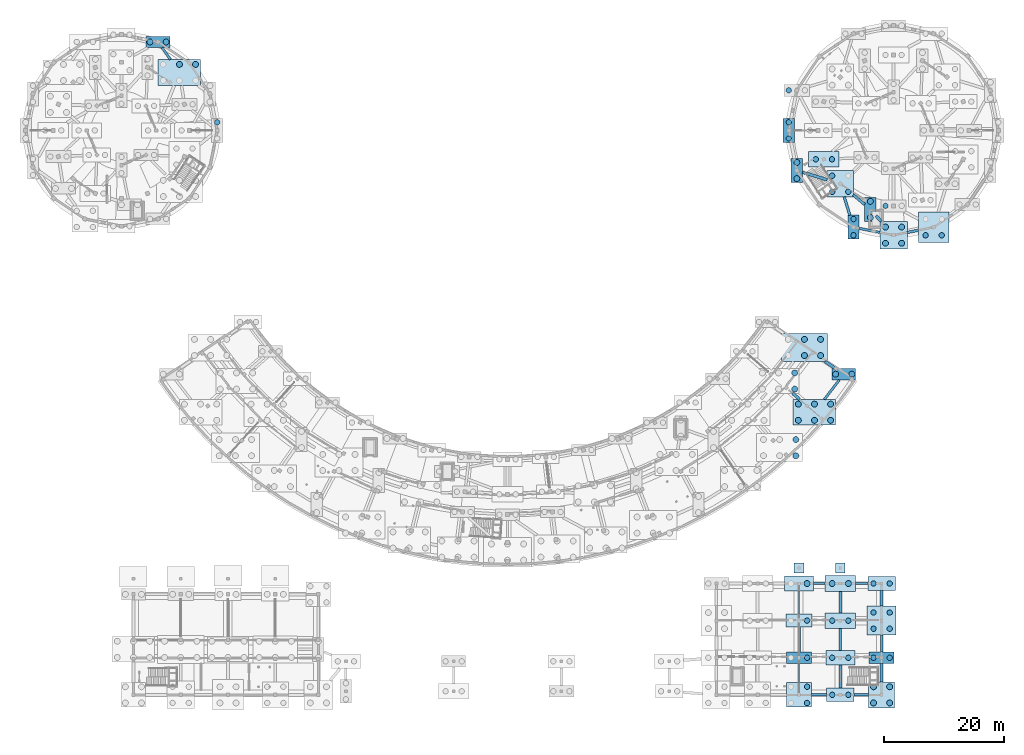
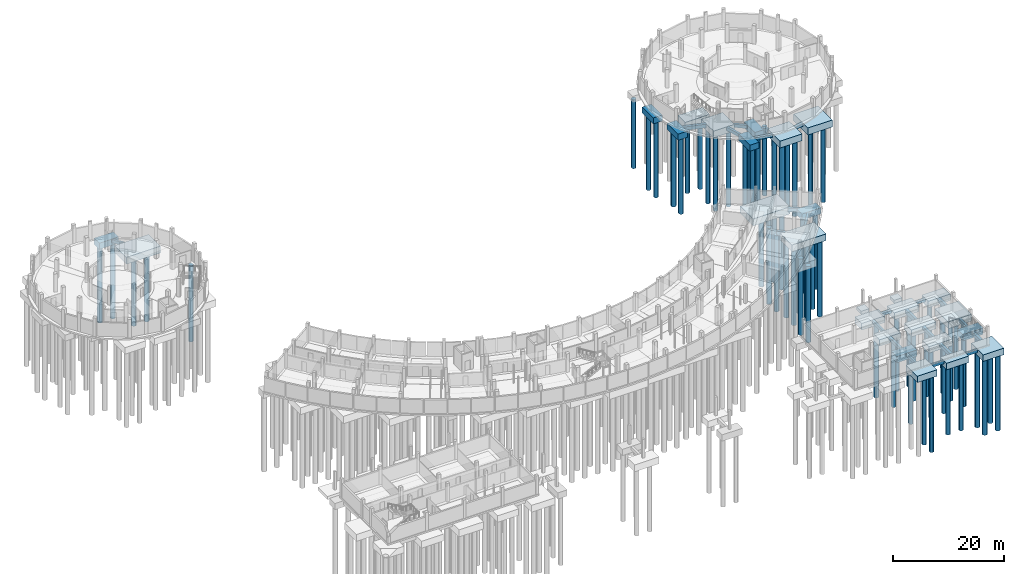
# One storey, part 6 of 58: 67 piles, 50 footings.
"""IFC4 building model written with IfcOpenShell, lengths in metres."""

from ifc_helpers import new_model, si_unit, direction, frame, origin, origin_2d, place, context, subcontext, project, spatial, rectangle, circle, extrude, material, material_profile, profile_set, type_object, element, save


model = new_model("IFC4")

# Units and contexts
model_context = context("Model", 3, precision=1e-05, world=origin(), true_north=direction((0.0, 1.0)))
body_context = subcontext(model_context, "Body", "Model", "MODEL_VIEW")
ifc_project = project(units=[si_unit("LENGTHUNIT", "METRE"), si_unit("AREAUNIT", "SQUARE_METRE"), si_unit("VOLUMEUNIT", "CUBIC_METRE"), si_unit("PLANEANGLEUNIT", "RADIAN"), si_unit("MASSUNIT", "GRAM", prefix="KILO")], contexts=[model_context])

# Site, building, storey
site_placement = place(None, origin())
site = spatial("IfcSite", under=ifc_project, at=site_placement, CompositionType="ELEMENT")
building_placement = place(site_placement, origin())
building = spatial("IfcBuilding", under=site, at=building_placement, Name="Caldaven Crescent School", CompositionType="ELEMENT")
storey_placement = place(building_placement, frame((0.0, 0.0, -4.080078125)))
storey = spatial("IfcBuildingStorey", under=building, at=storey_placement, Name="B1", CompositionType="ELEMENT", Elevation=-4.080078125)

# Footings
ifc_material_1 = material(Name="Concrete C30/37", Category="concrete")
ifc_material_profile_1 = material_profile(ifc_material_1, rectangle(XDim=0.449951171875, YDim=0.699951171875, at=origin_2d()), Name="FB 450x700")
ifc_profile_set_1 = profile_set([ifc_material_profile_1], Name="Concrete C30/37")
footing_type_1 = type_object("IfcFootingType", Name="FTG-FB1", PredefinedType="FOOTING_BEAM", material=ifc_profile_set_1)
footing_1_placement = place(storey_placement, frame((145.765380859375, 87.735107421875, -0.64990234375), z_axis=(0.76079573168, -0.648991413392, 0.0), x_axis=(0.648991413392, 0.76079573168, 0.0)))
element("IfcFooting", 1, at=footing_1_placement, inside=storey, type_object=footing_type_1, Name="FB-031", PredefinedType="FOOTING_BEAM", context=body_context, shape_type="SweptSolid", body=[
    extrude(rectangle(XDim=0.449951171875, YDim=0.699951171875, at=origin_2d()), origin(), (0.0, 0.0, 1.0), 2.504638671875),
])
footing_2_placement = place(storey_placement, frame((145.193359375, 84.33203125, -0.64990234375), z_axis=(-0.29158350761, 0.956545376911, 0.0), x_axis=(-0.956545376911, -0.29158350761, 0.0)))
element("IfcFooting", 2, at=footing_2_placement, inside=storey, type_object=footing_type_1, Name="FB-034", PredefinedType="FOOTING_BEAM", context=body_context, shape_type="SweptSolid", body=[
    extrude(rectangle(XDim=0.449951171875, YDim=0.699951171875, at=origin_2d()), origin(), (0.0, 0.0, 1.0), 3.2236328125),
])
footing_3_placement = place(storey_placement, frame((156.64697265625, 81.824951171875, -0.64990234375), z_axis=(-0.980779625492, -0.195118749024, 0.0), x_axis=(0.195118749024, -0.980779625492, 0.0)))
element("IfcFooting", 3, at=footing_3_placement, inside=storey, type_object=footing_type_1, Name="FB-040", PredefinedType="FOOTING_BEAM", context=body_context, shape_type="SweptSolid", body=[
    extrude(rectangle(XDim=0.449951171875, YDim=0.699951171875, at=origin_2d()), origin(), (0.0, 0.0, 1.0), 1.883056640625),
])
footing_4_placement = place(storey_placement, frame((136.699951171875, 11.39990234375, -0.64990234375), z_axis=(0.0, 1.0, 0.0), x_axis=(-1.0, 0.0, 0.0)))
element("IfcFooting", 4, at=footing_4_placement, inside=storey, type_object=footing_type_1, Name="FB-106", PredefinedType="FOOTING_BEAM", context=body_context, shape_type="SweptSolid", body=[
    extrude(rectangle(XDim=0.449951171875, YDim=0.699951171875, at=origin_2d()), origin(), (0.0, 0.0, 1.0), 4.125),
])
footing_5_placement = place(storey_placement, frame((143.60009765625, 11.625, -0.64990234375), z_axis=(0.0, 1.0, 0.0), x_axis=(-1.0, 0.0, 0.0)))
element("IfcFooting", 5, at=footing_5_placement, inside=storey, type_object=footing_type_1, Name="FB-109", PredefinedType="FOOTING_BEAM", context=body_context, shape_type="SweptSolid", body=[
    extrude(rectangle(XDim=0.449951171875, YDim=0.699951171875, at=origin_2d()), origin(), (0.0, 0.0, 1.0), 3.675048828125),
])
footing_6_placement = place(storey_placement, frame((150.5, 11.39990234375, -0.64990234375), z_axis=(0.0, 1.0, 0.0), x_axis=(-1.0, 0.0, 0.0)))
element("IfcFooting", 6, at=footing_6_placement, inside=storey, type_object=footing_type_1, Name="FB-112", PredefinedType="FOOTING_BEAM", context=body_context, shape_type="SweptSolid", body=[
    extrude(rectangle(XDim=0.449951171875, YDim=0.699951171875, at=origin_2d()), origin(), (0.0, 0.0, 1.0), 2.775146484375),
])
ifc_material_profile_2 = material_profile(ifc_material_1, rectangle(XDim=0.5, YDim=0.800048828125, at=origin_2d()), Name="FB 500x800")
ifc_profile_set_2 = profile_set([ifc_material_profile_2], Name="Concrete C30/37")
footing_type_2 = type_object("IfcFootingType", Name="FTG-FB2", PredefinedType="FOOTING_BEAM", material=ifc_profile_set_2)
footing_7_placement = place(storey_placement, frame((137.281982421875, 91.513427734375, -0.699951171875), z_axis=(0.956546524731, -0.291579742138, 0.0), x_axis=(0.291579742138, 0.956546524731, 0.0)))
element("IfcFooting", 7, at=footing_7_placement, inside=storey, type_object=footing_type_2, Name="FB-029", PredefinedType="FOOTING_BEAM", context=body_context, shape_type="SweptSolid", body=[
    extrude(rectangle(XDim=0.5, YDim=0.800048828125, at=origin_2d()), origin(), (0.0, 0.0, 1.0), 4.3212890625),
])
footing_8_placement = place(storey_placement, frame((149.571044921875, 84.24609375, -0.699951171875), z_axis=(0.669969671485, -0.74238846926, 0.0), x_axis=(0.74238846926, 0.669969671485, 0.0)))
element("IfcFooting", 8, at=footing_8_placement, inside=storey, type_object=footing_type_2, Name="FB-032", PredefinedType="FOOTING_BEAM", context=body_context, shape_type="SweptSolid", body=[
    extrude(rectangle(XDim=0.5, YDim=0.800048828125, at=origin_2d()), origin(), (0.0, 0.0, 1.0), 1.2744140625),
])
footing_9_placement = place(storey_placement, frame((143.60009765625, 21.5, -0.699951171875), z_axis=(0.0, -1.0, 0.0), x_axis=(1.0, 0.0, 0.0)))
element("IfcFooting", 9, at=footing_9_placement, inside=storey, type_object=footing_type_2, Name="FB-089", PredefinedType="FOOTING_BEAM", context=body_context, shape_type="SweptSolid", body=[
    extrude(rectangle(XDim=0.5, YDim=0.800048828125, at=origin_2d()), origin(), (0.0, 0.0, 1.0), 3.60009765625),
])
footing_10_placement = place(storey_placement, frame((143.60009765625, 5.35009765625, -0.699951171875), z_axis=(0.0, 1.0, 0.0), x_axis=(-1.0, 0.0, 0.0)))
element("IfcFooting", 10, at=footing_10_placement, inside=storey, type_object=footing_type_2, Name="FB-107", PredefinedType="FOOTING_BEAM", context=body_context, shape_type="SweptSolid", body=[
    extrude(rectangle(XDim=0.5, YDim=0.800048828125, at=origin_2d()), origin(), (0.0, 0.0, 1.0), 3.824951171875),
])
footing_11_placement = place(storey_placement, frame((150.5, 6.375, -0.699951171875), z_axis=(0.0, 1.0, 0.0), x_axis=(-1.0, 0.0, 0.0)))
element("IfcFooting", 11, at=footing_11_placement, inside=storey, type_object=footing_type_2, Name="FB-110", PredefinedType="FOOTING_BEAM", context=body_context, shape_type="SweptSolid", body=[
    extrude(rectangle(XDim=0.5, YDim=0.800048828125, at=origin_2d()), origin(), (0.0, 0.0, 1.0), 3.02490234375),
])
footing_12_placement = place(storey_placement, frame((150.5, 19.02490234375, -0.699951171875), z_axis=(0.0, 1.0, 0.0), x_axis=(-1.0, 0.0, 0.0)))
element("IfcFooting", 12, at=footing_12_placement, inside=storey, type_object=footing_type_2, Name="FB-113", PredefinedType="FOOTING_BEAM", context=body_context, shape_type="SweptSolid", body=[
    extrude(rectangle(XDim=0.5, YDim=0.800048828125, at=origin_2d()), origin(), (0.0, 0.0, 1.0), 2.625),
])
footing_13_placement = place(storey_placement, frame((136.80908203125, 53.57080078125, -0.699951171875), z_axis=(-0.754673426193, 0.656100617129, 0.0), x_axis=(-0.656100617129, -0.754673426193, 0.0)))
element("IfcFooting", 13, at=footing_13_placement, inside=storey, type_object=footing_type_2, Name="FB-194", PredefinedType="FOOTING_BEAM", context=body_context, shape_type="SweptSolid", body=[
    extrude(rectangle(XDim=0.5, YDim=0.800048828125, at=origin_2d()), origin(), (0.0, 0.0, 1.0), 1.5478515625),
])
footing_14_placement = place(storey_placement, frame((142.78076171875, 58.722412109375, -0.699951171875), z_axis=(-0.826749962512, 0.562569550798, 0.0), x_axis=(-0.562569550798, -0.826749962512, 0.0)))
element("IfcFooting", 14, at=footing_14_placement, inside=storey, type_object=footing_type_2, Name="FB-197", PredefinedType="FOOTING_BEAM", context=body_context, shape_type="SweptSolid", body=[
    extrude(rectangle(XDim=0.5, YDim=0.800048828125, at=origin_2d()), origin(), (0.0, 0.0, 1.0), 2.083984375),
])
ifc_material_profile_3 = material_profile(ifc_material_1, rectangle(XDim=0.39990234375, YDim=0.64990234375, at=origin_2d()), Name="FB 400x650")
ifc_profile_set_3 = profile_set([ifc_material_profile_3], Name="Concrete C30/37")
footing_type_3 = type_object("IfcFootingType", Name="FTG-FB3", PredefinedType="FOOTING_BEAM", material=ifc_profile_set_3)
footing_15_placement = place(storey_placement, frame((146.7529296875, 82.14306640625, -0.625), z_axis=(0.980791177706, -0.195060671931, 0.0), x_axis=(0.195060671931, 0.980791177706, 0.0)))
element("IfcFooting", 15, at=footing_15_placement, inside=storey, type_object=footing_type_3, Name="FB-033", PredefinedType="FOOTING_BEAM", context=body_context, shape_type="SweptSolid", body=[
    extrude(rectangle(XDim=0.39990234375, YDim=0.64990234375, at=origin_2d()), origin(), (0.0, 0.0, 1.0), 3.5146484375),
])
footing_16_placement = place(storey_placement, frame((30.28759765625, 112.33203125, -0.625), z_axis=(0.573260399797, -0.819373244636, 0.0), x_axis=(0.819373244636, 0.573260399797, 0.0)))
element("IfcFooting", 16, at=footing_16_placement, inside=storey, type_object=footing_type_3, Name="FB-057", PredefinedType="FOOTING_BEAM", context=body_context, shape_type="SweptSolid", body=[
    extrude(rectangle(XDim=0.39990234375, YDim=0.64990234375, at=origin_2d()), origin(), (0.0, 0.0, 1.0), 2.434326171875),
])
footing_17_placement = place(storey_placement, frame((136.699951171875, 21.574951171875, -0.625), z_axis=(0.0, -1.0, 0.0), x_axis=(1.0, 0.0, 0.0)))
element("IfcFooting", 17, at=footing_17_placement, inside=storey, type_object=footing_type_3, Name="FB-087", PredefinedType="FOOTING_BEAM", context=body_context, shape_type="SweptSolid", body=[
    extrude(rectangle(XDim=0.39990234375, YDim=0.64990234375, at=origin_2d()), origin(), (0.0, 0.0, 1.0), 3.89990234375),
])
footing_18_placement = place(storey_placement, frame((141.050048828125, 22.800048828125, -0.625), z_axis=(-1.0, 0.0, 0.0), x_axis=(0.0, -1.0, 0.0)))
element("IfcFooting", 18, at=footing_18_placement, inside=storey, type_object=footing_type_3, Name="FB-090", PredefinedType="FOOTING_BEAM", context=body_context, shape_type="SweptSolid", body=[
    extrude(rectangle(XDim=0.39990234375, YDim=0.64990234375, at=origin_2d()), origin(), (0.0, 0.0, 1.0), 1.925048828125),
])
footing_19_placement = place(storey_placement, frame((136.699951171875, 6.25, -0.625), z_axis=(0.0, 1.0, 0.0), x_axis=(-1.0, 0.0, 0.0)))
element("IfcFooting", 19, at=footing_19_placement, inside=storey, type_object=footing_type_3, Name="FB-105", PredefinedType="FOOTING_BEAM", context=body_context, shape_type="SweptSolid", body=[
    extrude(rectangle(XDim=0.39990234375, YDim=0.64990234375, at=origin_2d()), origin(), (0.0, 0.0, 1.0), 3.14990234375),
])
footing_20_placement = place(storey_placement, frame((141.300048828125, 4.199951171875, -0.625), z_axis=(-1.0, 0.0, 0.0), x_axis=(0.0, -1.0, 0.0)))
element("IfcFooting", 20, at=footing_20_placement, inside=storey, type_object=footing_type_3, Name="FB-108", PredefinedType="FOOTING_BEAM", context=body_context, shape_type="SweptSolid", body=[
    extrude(rectangle(XDim=0.39990234375, YDim=0.64990234375, at=origin_2d()), origin(), (0.0, 0.0, 1.0), 2.550048828125),
])
footing_21_placement = place(storey_placement, frame((148.324951171875, 4.199951171875, -0.625), z_axis=(-1.0, 0.0, 0.0), x_axis=(0.0, -1.0, 0.0)))
element("IfcFooting", 21, at=footing_21_placement, inside=storey, type_object=footing_type_3, Name="FB-111", PredefinedType="FOOTING_BEAM", context=body_context, shape_type="SweptSolid", body=[
    extrude(rectangle(XDim=0.39990234375, YDim=0.64990234375, at=origin_2d()), origin(), (0.0, 0.0, 1.0), 2.425048828125),
])
footing_22_placement = place(storey_placement, frame((148.199951171875, 22.800048828125, -0.625), z_axis=(-1.0, 0.0, 0.0), x_axis=(0.0, -1.0, 0.0)))
element("IfcFooting", 22, at=footing_22_placement, inside=storey, type_object=footing_type_3, Name="FB-114", PredefinedType="FOOTING_BEAM", context=body_context, shape_type="SweptSolid", body=[
    extrude(rectangle(XDim=0.39990234375, YDim=0.64990234375, at=origin_2d()), origin(), (0.0, 0.0, 1.0), 2.050048828125),
])
footing_23_placement = place(storey_placement, frame((140.939208984375, 53.57080078125, -0.625), z_axis=(0.610397485424, 0.792095265602, 0.0), x_axis=(-0.792095265602, 0.610397485424, 0.0)))
element("IfcFooting", 23, at=footing_23_placement, inside=storey, type_object=footing_type_3, Name="FB-195", PredefinedType="FOOTING_BEAM", context=body_context, shape_type="SweptSolid", body=[
    extrude(rectangle(XDim=0.39990234375, YDim=0.64990234375, at=origin_2d()), origin(), (0.0, 0.0, 1.0), 4.10498046875),
])
ifc_material_2 = material(Name="Concrete C35/45", Category="concrete")
footing_type_4 = type_object("IfcFootingType", Name="FTG-PAD04", PredefinedType="PAD_FOOTING", material=ifc_material_2)
for number, where, z_axis, x_axis, name in (
    (24, (136.699951171875, 25.39990234375, -0.69970703125), (0.0, 0.0, 1.0), (1.0, 0.0, 0.0), "PF-B1-01"),
    (25, (143.60009765625, 25.39990234375, -0.69970703125), (0.0, 0.0, 1.0), (1.0, 0.0, 0.0), "PF-B1-02"),
):
    element("IfcFooting", number, at=place(storey_placement, frame(where, z_axis=z_axis, x_axis=x_axis)), inside=storey, type_object=footing_type_4, Name=name, PredefinedType="PAD_FOOTING", context=body_context, shape_type="SweptSolid", body=[
        extrude(rectangle(XDim=1.60009765625, YDim=1.60009765625, at=origin_2d()), origin(), (0.0, 0.0, 1.0), 0.699951171875),
    ])
footing_type_5 = type_object("IfcFootingType", Name="FTG-PC01", PredefinedType="PILE_CAP", material=ifc_material_2)
for number, where, z_axis, x_axis, name in (
    (26, (135.0, 98.5, -1.64990234375), (0.0, 0.0, 1.0), (0.0, 1.0, 0.0), "PC-023"),
    (27, (136.33203125, 91.802978515625, -1.64990234375), (0.0, 0.0, 1.0), (0.0, 1.0, 0.0), "PC-025"),
    (28, (148.62109375, 85.299072265625, -1.64990234375), (0.0, 0.0, 1.0), (0.0, 1.0, 0.0), "PC-029"),
    (29, (145.802978515625, 82.33203125, -1.64990234375), (0.0, 0.0, 1.0), (0.0, 1.0, 0.0), "PC-030"),
    (30, (29.622802734375, 113.281982421875, -1.64990234375), (0.0, 0.0, 1.0), (1.0, 0.0, 0.0), "PC-049"),
    (31, (144.177001953125, 57.772216796875, -1.64990234375), (0.0, 0.0, 1.0), (1.0, 0.0, 0.0), "PC-165"),
):
    element("IfcFooting", number, at=place(storey_placement, frame(where, z_axis=z_axis, x_axis=x_axis)), inside=storey, type_object=footing_type_5, Name=name, PredefinedType="PILE_CAP", context=body_context, shape_type="SweptSolid", body=[
        extrude(rectangle(XDim=4.0, YDim=1.89990234375, at=origin_2d()), origin(), (0.0, 0.0, 1.0), 1.35009765625),
    ])
footing_type_6 = type_object("IfcFootingType", Name="FTG-PC02", PredefinedType="PILE_CAP", material=ifc_material_2)
for number, where, z_axis, x_axis, name in (
    (32, (136.699951171875, 10.39990234375, -1.699951171875), (0.0, 0.0, 1.0), (1.0, 0.0, 0.0), "PC-092"),
    (33, (150.5, 10.39990234375, -1.699951171875), (0.0, 0.0, 1.0), (1.0, 0.0, 0.0), "PC-098"),
):
    element("IfcFooting", number, at=place(storey_placement, frame(where, z_axis=z_axis, x_axis=x_axis)), inside=storey, type_object=footing_type_6, Name=name, PredefinedType="PILE_CAP", context=body_context, shape_type="SweptSolid", body=[
        extrude(rectangle(XDim=4.199951171875, YDim=2.0, at=origin_2d()), origin(), (0.0, 0.0, 1.0), 1.39990234375),
    ])
footing_type_7 = type_object("IfcFootingType", Name="FTG-PC03", PredefinedType="PILE_CAP", material=ifc_material_2)
footing_24_placement = place(storey_placement, frame((136.699951171875, 16.60009765625, -1.699951171875), z_axis=(0.0, 0.0, 1.0), x_axis=(1.0, 0.0, 0.0)))
element("IfcFooting", 34, at=footing_24_placement, inside=storey, type_object=footing_type_7, Name="PC-093", PredefinedType="PILE_CAP", context=body_context, shape_type="SweptSolid", body=[
    extrude(rectangle(XDim=4.39990234375, YDim=2.14990234375, at=origin_2d()), origin(), (0.0, 0.0, 1.0), 1.39990234375),
])
footing_type_8 = type_object("IfcFootingType", Name="FTG-PC04", PredefinedType="PILE_CAP", material=ifc_material_2)
for number, where, z_axis, x_axis, name in (
    (35, (143.60009765625, 4.199951171875, -1.75), (0.0, 0.0, 1.0), (1.0, 0.0, 0.0), "PC-094"),
    (36, (150.5, 22.800048828125, -1.75), (0.0, 0.0, 1.0), (1.0, 0.0, 0.0), "PC-100"),
):
    element("IfcFooting", number, at=place(storey_placement, frame(where, z_axis=z_axis, x_axis=x_axis)), inside=storey, type_object=footing_type_8, Name=name, PredefinedType="PILE_CAP", context=body_context, shape_type="SweptSolid", body=[
        extrude(rectangle(XDim=4.60009765625, YDim=2.300048828125, at=origin_2d()), origin(), (0.0, 0.0, 1.0), 1.449951171875),
    ])
footing_type_9 = type_object("IfcFootingType", Name="FTG-PC05", PredefinedType="PILE_CAP", material=ifc_material_2)
for number, where, z_axis, x_axis, name in (
    (37, (136.699951171875, 22.800048828125, -1.75), (0.0, 0.0, 1.0), (1.0, 0.0, 0.0), "PC-077"),
    (38, (143.60009765625, 10.39990234375, -1.75), (0.0, 0.0, 1.0), (1.0, 0.0, 0.0), "PC-095"),
):
    element("IfcFooting", number, at=place(storey_placement, frame(where, z_axis=z_axis, x_axis=x_axis)), inside=storey, type_object=footing_type_9, Name=name, PredefinedType="PILE_CAP", context=body_context, shape_type="SweptSolid", body=[
        extrude(rectangle(XDim=4.85009765625, YDim=2.449951171875, at=origin_2d()), origin(), (0.0, 0.0, 1.0), 1.449951171875),
    ])
footing_type_10 = type_object("IfcFootingType", Name="FTG-PC06", PredefinedType="PILE_CAP", material=ifc_material_2)
for number, where, z_axis, x_axis, name in (
    (39, (140.859130859375, 93.67822265625, -1.7998046875), (0.0, 0.0, 1.0), (1.0, 0.0, 0.0), "PC-024"),
    (40, (143.60009765625, 22.800048828125, -1.7998046875), (0.0, 0.0, 1.0), (1.0, 0.0, 0.0), "PC-078"),
    (41, (143.60009765625, 16.60009765625, -1.7998046875), (0.0, 0.0, 1.0), (1.0, 0.0, 0.0), "PC-096"),
):
    element("IfcFooting", number, at=place(storey_placement, frame(where, z_axis=z_axis, x_axis=x_axis)), inside=storey, type_object=footing_type_10, Name=name, PredefinedType="PILE_CAP", context=body_context, shape_type="SweptSolid", body=[
        extrude(rectangle(XDim=5.10009765625, YDim=2.60009765625, at=origin_2d()), origin(), (0.0, 0.0, 1.0), 1.5),
    ])
footing_type_11 = type_object("IfcFootingType", Name="FTG-PC07", PredefinedType="PILE_CAP", material=ifc_material_2)
footing_25_placement = place(storey_placement, frame((136.699951171875, 4.199951171875, -1.699951171875), z_axis=(0.0, 0.0, 1.0), x_axis=(1.0, 0.0, 0.0)))
element("IfcFooting", 42, at=footing_25_placement, inside=storey, type_object=footing_type_11, Name="PC-091", PredefinedType="PILE_CAP", context=body_context, shape_type="SweptSolid", body=[
    extrude(rectangle(XDim=4.10009765625, YDim=4.10009765625, at=origin_2d()), origin(), (0.0, 0.0, 1.0), 1.39990234375),
])
footing_type_12 = type_object("IfcFootingType", Name="FTG-PC08", PredefinedType="PILE_CAP", material=ifc_material_2)
for number, where, z_axis, x_axis, name in (
    (43, (143.590576171875, 89.590576171875, -1.75), (0.0, 0.0, 1.0), (1.0, 0.0, 0.0), "PC-027"),
    (44, (150.5, 4.199951171875, -1.75), (0.0, 0.0, 1.0), (1.0, 0.0, 0.0), "PC-097"),
):
    element("IfcFooting", number, at=place(storey_placement, frame(where, z_axis=z_axis, x_axis=x_axis)), inside=storey, type_object=footing_type_12, Name=name, PredefinedType="PILE_CAP", context=body_context, shape_type="SweptSolid", body=[
        extrude(rectangle(XDim=4.35009765625, YDim=4.35009765625, at=origin_2d()), origin(), (0.0, 0.0, 1.0), 1.449951171875),
    ])
footing_type_13 = type_object("IfcFootingType", Name="FTG-PC09", PredefinedType="PILE_CAP", material=ifc_material_2)
footing_26_placement = place(storey_placement, frame((152.5, 81.0, -1.7998046875), z_axis=(0.0, 0.0, 1.0), x_axis=(1.0, 0.0, 0.0)))
element("IfcFooting", 45, at=footing_26_placement, inside=storey, type_object=footing_type_13, Name="PC-033", PredefinedType="PILE_CAP", context=body_context, shape_type="SweptSolid", body=[
    extrude(rectangle(XDim=4.60009765625, YDim=4.60009765625, at=origin_2d()), origin(), (0.0, 0.0, 1.0), 1.5),
])
footing_type_14 = type_object("IfcFootingType", Name="FTG-PC10", PredefinedType="PILE_CAP", material=ifc_material_2)
footing_27_placement = place(storey_placement, frame((150.5, 16.60009765625, -1.7998046875), z_axis=(0.0, 0.0, 1.0), x_axis=(1.0, 0.0, 0.0)))
element("IfcFooting", 46, at=footing_27_placement, inside=storey, type_object=footing_type_14, Name="PC-099", PredefinedType="PILE_CAP", context=body_context, shape_type="SweptSolid", body=[
    extrude(rectangle(XDim=4.85009765625, YDim=4.85009765625, at=origin_2d()), origin(), (0.0, 0.0, 1.0), 1.5),
])
footing_type_15 = type_object("IfcFootingType", Name="FTG-PC11", PredefinedType="PILE_CAP", material=ifc_material_2)
footing_28_placement = place(storey_placement, frame((159.197021484375, 82.33203125, -1.85009765625), z_axis=(0.0, 0.0, 1.0), x_axis=(1.0, 0.0, 0.0)))
element("IfcFooting", 47, at=footing_28_placement, inside=storey, type_object=footing_type_15, Name="PC-035", PredefinedType="PILE_CAP", context=body_context, shape_type="SweptSolid", body=[
    extrude(rectangle(XDim=5.10009765625, YDim=5.10009765625, at=origin_2d()), origin(), (0.0, 0.0, 1.0), 1.550048828125),
])
footing_type_16 = type_object("IfcFootingType", Name="FTG-PC13", PredefinedType="PILE_CAP", material=ifc_material_2)
for number, where, z_axis, x_axis, name in (
    (48, (33.1875, 108.1875, -1.7998046875), (0.0, 0.0, 1.0), (1.0, 0.0, 0.0), "PC-047"),
    (49, (139.282470703125, 51.4208984375, -1.7998046875), (0.0, 0.0, 1.0), (1.0, 0.0, 0.0), "PC-162"),
):
    element("IfcFooting", number, at=place(storey_placement, frame(where, z_axis=z_axis, x_axis=x_axis)), inside=storey, type_object=footing_type_16, Name=name, PredefinedType="PILE_CAP", context=body_context, shape_type="SweptSolid", body=[
        extrude(rectangle(XDim=7.10009765625, YDim=4.300048828125, at=origin_2d()), origin(), (0.0, 0.0, 1.0), 1.5),
    ])
footing_type_17 = type_object("IfcFootingType", Name="FTG-PC15", PredefinedType="PILE_CAP", material=ifc_material_2)
footing_29_placement = place(storey_placement, frame((137.604248046875, 62.244873046875, -1.85009765625), z_axis=(0.0, 0.0, 1.0), x_axis=(1.0, 0.0, 0.0)))
element("IfcFooting", 50, at=footing_29_placement, inside=storey, type_object=footing_type_17, Name="PC-164", PredefinedType="PILE_CAP", context=body_context, shape_type="SweptSolid", body=[
    extrude(rectangle(XDim=7.699951171875, YDim=4.699951171875, at=origin_2d()), origin(), (0.0, 0.0, 1.0), 1.550048828125),
])

# Piles
ifc_material_profile_4 = material_profile(ifc_material_2, circle(Radius=0.5, at=origin_2d()), Name="PILE D1000")
ifc_profile_set_4 = profile_set([ifc_material_profile_4], Name="Concrete C35/45")
pile_type_1 = type_object("IfcPileType", Name="PIL-D1000", PredefinedType="BORED", material=ifc_profile_set_4)
for number, where, z_axis, x_axis, name in (
    (51, (136.33203125, 90.452880859375, -1.5498046875), (0.0, 0.0, -1.0), (1.0, 0.0, 0.0), "PILE-025-1"),
    (52, (136.33203125, 93.153076171875, -1.5498046875), (0.0, 0.0, -1.0), (1.0, 0.0, 0.0), "PILE-025-2"),
    (53, (148.62109375, 83.94921875, -1.5498046875), (0.0, 0.0, -1.0), (1.0, 0.0, 0.0), "PILE-029-1"),
    (54, (148.62109375, 86.649169921875, -1.5498046875), (0.0, 0.0, -1.0), (1.0, 0.0, 0.0), "PILE-029-2"),
    (55, (151.14990234375, 79.64990234375, -1.699951171875), (0.0, 0.0, -1.0), (1.0, 0.0, 0.0), "PILE-033-1"),
    (56, (153.85009765625, 79.64990234375, -1.699951171875), (0.0, 0.0, -1.0), (1.0, 0.0, 0.0), "PILE-033-2"),
    (57, (151.14990234375, 82.35009765625, -1.699951171875), (0.0, 0.0, -1.0), (1.0, 0.0, 0.0), "PILE-033-3"),
    (58, (153.85009765625, 82.35009765625, -1.699951171875), (0.0, 0.0, -1.0), (1.0, 0.0, 0.0), "PILE-033-4"),
    (59, (33.1875, 109.537353515625, -1.699951171875), (0.0, 0.0, -1.0), (1.0, 0.0, 0.0), "PILE-047-5"),
    (60, (35.887451171875, 109.537353515625, -1.699951171875), (0.0, 0.0, -1.0), (1.0, 0.0, 0.0), "PILE-047-6"),
    (61, (28.27294921875, 113.281982421875, -1.5498046875), (0.0, 0.0, -1.0), (1.0, 0.0, 0.0), "PILE-049-1"),
    (62, (30.972900390625, 113.281982421875, -1.5498046875), (0.0, 0.0, -1.0), (1.0, 0.0, 0.0), "PILE-049-2"),
    (63, (138.050048828125, 22.800048828125, -1.64990234375), (0.0, 0.0, -1.0), (1.0, 0.0, 0.0), "PILE-077-2"),
    (64, (142.25, 22.800048828125, -1.699951171875), (0.0, 0.0, -1.0), (1.0, 0.0, 0.0), "PILE-078-1"),
    (65, (144.949951171875, 22.800048828125, -1.699951171875), (0.0, 0.0, -1.0), (1.0, 0.0, 0.0), "PILE-078-2"),
    (66, (149.14990234375, 2.85009765625, -1.64990234375), (0.0, 0.0, -1.0), (1.0, 0.0, 0.0), "PILE-097-1"),
    (67, (151.85009765625, 2.85009765625, -1.64990234375), (0.0, 0.0, -1.0), (1.0, 0.0, 0.0), "PILE-097-2"),
    (68, (149.14990234375, 5.550048828125, -1.64990234375), (0.0, 0.0, -1.0), (1.0, 0.0, 0.0), "PILE-097-3"),
    (69, (151.85009765625, 5.550048828125, -1.64990234375), (0.0, 0.0, -1.0), (1.0, 0.0, 0.0), "PILE-097-4"),
    (70, (136.16748046875, 44.1533203125, -1.75), (0.0, 0.0, -1.0), (1.0, 0.0, 0.0), "PILE-159-3"),
    (71, (136.16748046875, 46.853271484375, -1.75), (0.0, 0.0, -1.0), (1.0, 0.0, 0.0), "PILE-159-6"),
    (72, (135.982666015625, 55.28662109375, -1.64990234375), (0.0, 0.0, -1.0), (1.0, 0.0, 0.0), "PILE-161-3"),
    (73, (135.982666015625, 57.986572265625, -1.64990234375), (0.0, 0.0, -1.0), (1.0, 0.0, 0.0), "PILE-161-6"),
    (74, (136.58251953125, 50.07080078125, -1.699951171875), (0.0, 0.0, -1.0), (1.0, 0.0, 0.0), "PILE-162-1"),
    (75, (139.282470703125, 50.07080078125, -1.699951171875), (0.0, 0.0, -1.0), (1.0, 0.0, 0.0), "PILE-162-2"),
    (76, (141.982421875, 50.07080078125, -1.699951171875), (0.0, 0.0, -1.0), (1.0, 0.0, 0.0), "PILE-162-3"),
    (77, (136.58251953125, 52.770751953125, -1.699951171875), (0.0, 0.0, -1.0), (1.0, 0.0, 0.0), "PILE-162-4"),
    (78, (139.282470703125, 52.770751953125, -1.699951171875), (0.0, 0.0, -1.0), (1.0, 0.0, 0.0), "PILE-162-5"),
    (79, (141.982421875, 52.770751953125, -1.699951171875), (0.0, 0.0, -1.0), (1.0, 0.0, 0.0), "PILE-162-6"),
    (80, (137.604248046875, 60.894775390625, -1.75), (0.0, 0.0, -1.0), (1.0, 0.0, 0.0), "PILE-164-2"),
    (81, (140.30419921875, 60.894775390625, -1.75), (0.0, 0.0, -1.0), (1.0, 0.0, 0.0), "PILE-164-3"),
    (82, (137.604248046875, 63.5947265625, -1.75), (0.0, 0.0, -1.0), (1.0, 0.0, 0.0), "PILE-164-5"),
    (83, (140.30419921875, 63.5947265625, -1.75), (0.0, 0.0, -1.0), (1.0, 0.0, 0.0), "PILE-164-6"),
    (84, (142.826904296875, 57.772216796875, -1.5498046875), (0.0, 0.0, -1.0), (1.0, 0.0, 0.0), "PILE-165-1"),
    (85, (145.52685546875, 57.772216796875, -1.5498046875), (0.0, 0.0, -1.0), (1.0, 0.0, 0.0), "PILE-165-2"),
):
    element("IfcPile", number, at=place(storey_placement, frame(where, z_axis=z_axis, x_axis=x_axis)), inside=storey, type_object=pile_type_1, Name=name, PredefinedType="BORED", context=body_context, shape_type="SweptSolid", body=[
        extrude(circle(Radius=0.5, at=origin_2d()), origin(), (0.0, 0.0, 1.0), 16.800048828125),
    ])
ifc_material_profile_5 = material_profile(ifc_material_2, circle(Radius=0.449951171875, at=origin_2d()), Name="PILE D900")
ifc_profile_set_5 = profile_set([ifc_material_profile_5], Name="Concrete C35/45")
pile_type_2 = type_object("IfcPileType", Name="PIL-D900", PredefinedType="BORED", material=ifc_profile_set_5)
pile_placement = place(storey_placement, frame((134.982177734375, 105.197021484375, -1.599853515625), z_axis=(0.0, 0.0, -1.0), x_axis=(1.0, 0.0, 0.0)))
element("IfcPile", 86, at=pile_placement, inside=storey, type_object=pile_type_2, Name="PILE-020-1", PredefinedType="BORED", context=body_context, shape_type="SweptSolid", body=[
    extrude(circle(Radius=0.449951171875, at=origin_2d()), origin(), (0.0, 0.0, 1.0), 15.199951171875),
])
for number, where, z_axis, x_axis, name in (
    (87, (135.0, 97.14990234375, -1.5498046875), (0.0, 0.0, -1.0), (1.0, 0.0, 0.0), "PILE-023-1"),
    (88, (135.0, 99.85009765625, -1.5498046875), (0.0, 0.0, -1.0), (1.0, 0.0, 0.0), "PILE-023-2"),
):
    element("IfcPile", number, at=place(storey_placement, frame(where, z_axis=z_axis, x_axis=x_axis)), inside=storey, type_object=pile_type_2, Name=name, PredefinedType="BORED", context=body_context, shape_type="SweptSolid", body=[
        extrude(circle(Radius=0.449951171875, at=origin_2d()), origin(), (0.0, 0.0, 1.0), 16.800048828125),
    ])
for number, where, z_axis, x_axis, name in (
    (89, (139.509033203125, 93.67822265625, -1.699951171875), (0.0, 0.0, -1.0), (1.0, 0.0, 0.0), "PILE-024-1"),
    (90, (142.208984375, 93.67822265625, -1.699951171875), (0.0, 0.0, -1.0), (1.0, 0.0, 0.0), "PILE-024-2"),
):
    element("IfcPile", number, at=place(storey_placement, frame(where, z_axis=z_axis, x_axis=x_axis)), inside=storey, type_object=pile_type_2, Name=name, PredefinedType="BORED", context=body_context, shape_type="SweptSolid", body=[
        extrude(circle(Radius=0.449951171875, at=origin_2d()), origin(), (0.0, 0.0, 1.0), 15.199951171875),
    ])
for number, where, z_axis, x_axis, name in (
    (91, (142.240478515625, 88.240478515625, -1.64990234375), (0.0, 0.0, -1.0), (1.0, 0.0, 0.0), "PILE-027-1"),
    (92, (144.9404296875, 88.240478515625, -1.64990234375), (0.0, 0.0, -1.0), (1.0, 0.0, 0.0), "PILE-027-2"),
    (93, (142.240478515625, 90.9404296875, -1.64990234375), (0.0, 0.0, -1.0), (1.0, 0.0, 0.0), "PILE-027-3"),
):
    element("IfcPile", number, at=place(storey_placement, frame(where, z_axis=z_axis, x_axis=x_axis)), inside=storey, type_object=pile_type_2, Name=name, PredefinedType="BORED", context=body_context, shape_type="SweptSolid", body=[
        extrude(circle(Radius=0.449951171875, at=origin_2d()), origin(), (0.0, 0.0, 1.0), 16.800048828125),
    ])
for number, where, z_axis, x_axis, name in (
    (94, (145.802978515625, 80.982177734375, -1.5498046875), (0.0, 0.0, -1.0), (1.0, 0.0, 0.0), "PILE-030-1"),
    (95, (145.802978515625, 83.68212890625, -1.5498046875), (0.0, 0.0, -1.0), (1.0, 0.0, 0.0), "PILE-030-2"),
    (96, (151.14990234375, 85.89990234375, -1.599853515625), (0.0, 0.0, -1.0), (1.0, 0.0, 0.0), "PILE-032-1"),
):
    element("IfcPile", number, at=place(storey_placement, frame(where, z_axis=z_axis, x_axis=x_axis)), inside=storey, type_object=pile_type_2, Name=name, PredefinedType="BORED", context=body_context, shape_type="SweptSolid", body=[
        extrude(circle(Radius=0.449951171875, at=origin_2d()), origin(), (0.0, 0.0, 1.0), 15.199951171875),
    ])
for number, where, z_axis, x_axis, name in (
    (97, (157.846923828125, 80.982177734375, -1.75), (0.0, 0.0, -1.0), (1.0, 0.0, 0.0), "PILE-035-1"),
    (98, (160.547119140625, 80.982177734375, -1.75), (0.0, 0.0, -1.0), (1.0, 0.0, 0.0), "PILE-035-2"),
    (99, (39.5, 99.85009765625, -1.5498046875), (0.0, 0.0, -1.0), (1.0, 0.0, 0.0), "PILE-043-2"),
    (100, (138.050048828125, 2.85009765625, -1.599853515625), (0.0, 0.0, -1.0), (1.0, 0.0, 0.0), "PILE-091-2"),
    (101, (138.050048828125, 5.550048828125, -1.599853515625), (0.0, 0.0, -1.0), (1.0, 0.0, 0.0), "PILE-091-4"),
):
    element("IfcPile", number, at=place(storey_placement, frame(where, z_axis=z_axis, x_axis=x_axis)), inside=storey, type_object=pile_type_2, Name=name, PredefinedType="BORED", context=body_context, shape_type="SweptSolid", body=[
        extrude(circle(Radius=0.449951171875, at=origin_2d()), origin(), (0.0, 0.0, 1.0), 16.800048828125),
    ])
for number, where, z_axis, x_axis, name in (
    (102, (138.050048828125, 10.39990234375, -1.599853515625), (0.0, 0.0, -1.0), (1.0, 0.0, 0.0), "PILE-092-2"),
    (103, (138.050048828125, 16.60009765625, -1.599853515625), (0.0, 0.0, -1.0), (1.0, 0.0, 0.0), "PILE-093-2"),
    (104, (142.25, 4.199951171875, -1.64990234375), (0.0, 0.0, -1.0), (1.0, 0.0, 0.0), "PILE-094-1"),
    (105, (144.949951171875, 4.199951171875, -1.64990234375), (0.0, 0.0, -1.0), (1.0, 0.0, 0.0), "PILE-094-2"),
    (106, (142.25, 10.39990234375, -1.64990234375), (0.0, 0.0, -1.0), (1.0, 0.0, 0.0), "PILE-095-1"),
    (107, (144.949951171875, 10.39990234375, -1.64990234375), (0.0, 0.0, -1.0), (1.0, 0.0, 0.0), "PILE-095-2"),
    (108, (142.25, 16.60009765625, -1.699951171875), (0.0, 0.0, -1.0), (1.0, 0.0, 0.0), "PILE-096-1"),
    (109, (144.949951171875, 16.60009765625, -1.699951171875), (0.0, 0.0, -1.0), (1.0, 0.0, 0.0), "PILE-096-2"),
    (110, (149.14990234375, 10.39990234375, -1.599853515625), (0.0, 0.0, -1.0), (1.0, 0.0, 0.0), "PILE-098-1"),
    (111, (151.85009765625, 10.39990234375, -1.599853515625), (0.0, 0.0, -1.0), (1.0, 0.0, 0.0), "PILE-098-2"),
):
    element("IfcPile", number, at=place(storey_placement, frame(where, z_axis=z_axis, x_axis=x_axis)), inside=storey, type_object=pile_type_2, Name=name, PredefinedType="BORED", context=body_context, shape_type="SweptSolid", body=[
        extrude(circle(Radius=0.449951171875, at=origin_2d()), origin(), (0.0, 0.0, 1.0), 15.199951171875),
    ])
for number, where, z_axis, x_axis, name in (
    (112, (149.14990234375, 15.25, -1.699951171875), (0.0, 0.0, -1.0), (1.0, 0.0, 0.0), "PILE-099-1"),
    (113, (151.85009765625, 15.25, -1.699951171875), (0.0, 0.0, -1.0), (1.0, 0.0, 0.0), "PILE-099-2"),
    (114, (149.14990234375, 17.949951171875, -1.699951171875), (0.0, 0.0, -1.0), (1.0, 0.0, 0.0), "PILE-099-3"),
    (115, (151.85009765625, 17.949951171875, -1.699951171875), (0.0, 0.0, -1.0), (1.0, 0.0, 0.0), "PILE-099-4"),
):
    element("IfcPile", number, at=place(storey_placement, frame(where, z_axis=z_axis, x_axis=x_axis)), inside=storey, type_object=pile_type_2, Name=name, PredefinedType="BORED", context=body_context, shape_type="SweptSolid", body=[
        extrude(circle(Radius=0.449951171875, at=origin_2d()), origin(), (0.0, 0.0, 1.0), 16.800048828125),
    ])
for number, where, z_axis, x_axis, name in (
    (116, (149.14990234375, 22.800048828125, -1.64990234375), (0.0, 0.0, -1.0), (1.0, 0.0, 0.0), "PILE-100-1"),
    (117, (151.85009765625, 22.800048828125, -1.64990234375), (0.0, 0.0, -1.0), (1.0, 0.0, 0.0), "PILE-100-2"),
):
    element("IfcPile", number, at=place(storey_placement, frame(where, z_axis=z_axis, x_axis=x_axis)), inside=storey, type_object=pile_type_2, Name=name, PredefinedType="BORED", context=body_context, shape_type="SweptSolid", body=[
        extrude(circle(Radius=0.449951171875, at=origin_2d()), origin(), (0.0, 0.0, 1.0), 15.199951171875),
    ])

save(model, "model.ifc")
